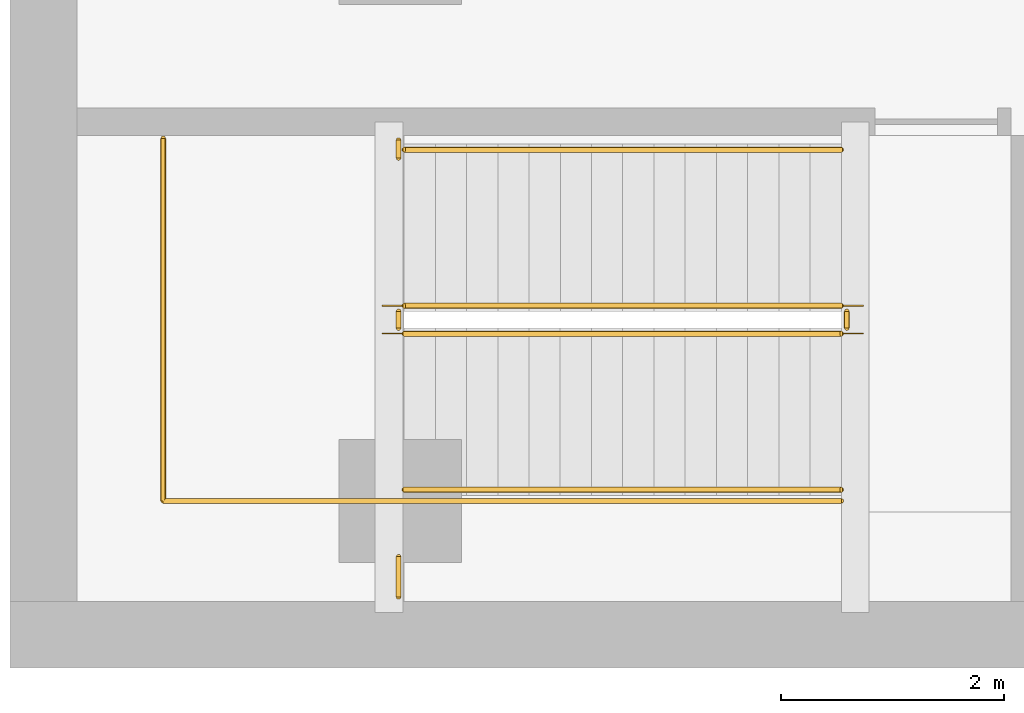
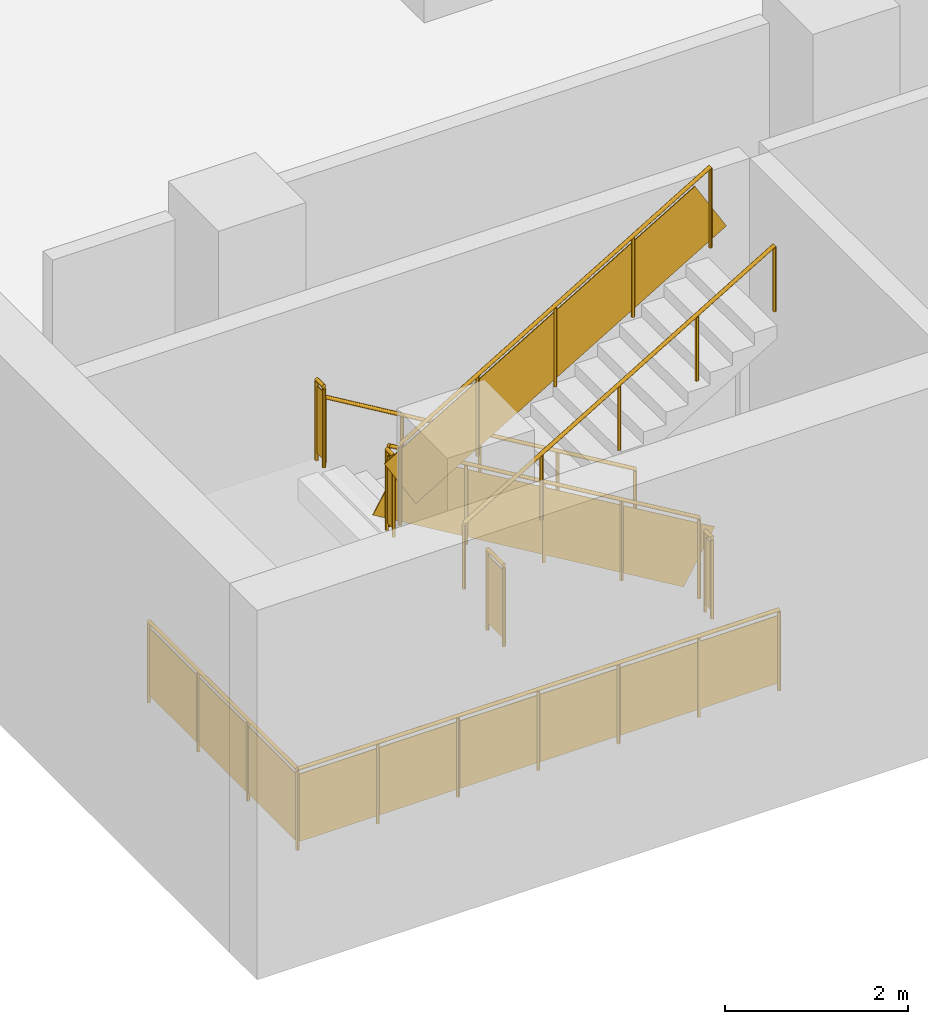
# One storey, part 9 of 12: 9 railings.
"""IFC4 building model written with IfcOpenShell, lengths in metres."""

from ifc_helpers import new_model, si_unit, direction, frame, origin, origin_2d, place, context, subcontext, project, spatial, rectangle, circle, extrude, material, type_object, element, save


model = new_model("IFC4")

# Units and contexts
model_context = context("Model", 3, precision=1e-05, world=origin(), true_north=direction((0.0, 1.0)))
body_context = subcontext(model_context, "Body", "Model", "MODEL_VIEW")
ifc_project = project(units=[si_unit("LENGTHUNIT", "METRE"), si_unit("AREAUNIT", "SQUARE_METRE"), si_unit("VOLUMEUNIT", "CUBIC_METRE"), si_unit("PLANEANGLEUNIT", "RADIAN"), si_unit("MASSUNIT", "GRAM", prefix="KILO")], contexts=[model_context])

# Site, building, storey
site_placement = place(None, origin())
site = spatial("IfcSite", under=ifc_project, at=site_placement, CompositionType="ELEMENT")
building_placement = place(site_placement, origin())
building = spatial("IfcBuilding", under=site, at=building_placement, Name="Vidyagriha Tower", CompositionType="ELEMENT")
storey_placement = place(building_placement, frame((0.0, 0.0, -5.0)))
storey = spatial("IfcBuildingStorey", under=building, at=storey_placement, Name="B1", CompositionType="ELEMENT", Elevation=-5.0)

# Railings
ifc_material_1 = material(Name="Powder coated ASTM A500 Grade C steel balustrade", Category="steel")
railing_type_1 = type_object("IfcRailingType", Name="Podium Stair Guard 1100", PredefinedType="GUARDRAIL", material=ifc_material_1)
railing_1_placement = place(storey_placement, frame((-33.544921875, -47.75, 0.166748046875)))
element("IfcRailing", 1, at=railing_1_placement, inside=storey, type_object=railing_type_1, Name="B1 PS1 stair guard 1", PredefinedType="GUARDRAIL", context=body_context, shape_type="SweptSolid", body=[
    extrude(circle(Radius=0.02392578125, at=origin_2d()), frame((0.0, 0.0, 1.076171875), z_axis=(-0.859310244771, 0.0, 0.511454693235), x_axis=(0.0, -1.0, 0.0)), (0.0, 0.0, 1.0), 4.56201171875),
    extrude(circle(Radius=0.02099609375, at=origin_2d()), origin(), (0.0, 0.0, 1.0), 1.052001953125),
    extrude(circle(Radius=0.02099609375, at=origin_2d()), frame((-0.97998046875, 0.0, 0.583251953125)), (0.0, 0.0, 1.0), 1.052001953125),
    extrude(circle(Radius=0.02099609375, at=origin_2d()), frame((-1.9599609375, 0.0, 1.16650390625)), (0.0, 0.0, 1.0), 1.052001953125),
    extrude(circle(Radius=0.02099609375, at=origin_2d()), frame((-2.940185546875, 0.0, 1.75)), (0.0, 0.0, 1.0), 1.052001953125),
    extrude(circle(Radius=0.02099609375, at=origin_2d()), frame((-3.920166015625, 0.0, 2.333251953125)), (0.0, 0.0, 1.0), 1.052001953125),
    extrude(rectangle(XDim=0.010009765625, YDim=0.775146484375, at=origin_2d()), frame((0.0, 0.0, 0.551025390625), z_axis=(-0.859310244771, 0.0, 0.511454693235), x_axis=(0.0, -1.0, 0.0)), (0.0, 0.0, 1.0), 4.56201171875),
])
railing_2_placement = place(storey_placement, frame((-37.514892578125, -47.800048828125, 2.5)))
element("IfcRailing", 2, at=railing_2_placement, inside=storey, type_object=railing_type_1, Name="B1 PS1 stair guard 2", PredefinedType="GUARDRAIL", context=body_context, shape_type="SweptSolid", body=[
    extrude(circle(Radius=0.02392578125, at=origin_2d()), frame((0.0, 0.0, 1.076171875), z_axis=(0.0, -1.0, 0.0), x_axis=(1.0, 0.0, 0.0)), (0.0, 0.0, 1.0), 0.14990234375),
    extrude(circle(Radius=0.02099609375, at=origin_2d()), origin(), (0.0, 0.0, 1.0), 1.052001953125),
    extrude(circle(Radius=0.02099609375, at=origin_2d()), frame((0.0, -0.14990234375, 0.0)), (0.0, 0.0, 1.0), 1.052001953125),
    extrude(rectangle(XDim=0.010009765625, YDim=0.902099609375, at=origin_2d()), frame((0.0, 0.0, 0.551025390625), z_axis=(0.0, -1.0, 0.0), x_axis=(1.0, 0.0, 0.0)), (0.0, 0.0, 1.0), 0.14990234375),
])
railing_3_placement = place(storey_placement, frame((-37.465087890625, -48.0, 2.666748046875)))
element("IfcRailing", 3, at=railing_3_placement, inside=storey, type_object=railing_type_1, Name="B1 PS1 stair guard 3", PredefinedType="GUARDRAIL", context=body_context, shape_type="SweptSolid", body=[
    extrude(circle(Radius=0.02392578125, at=origin_2d()), frame((0.0, 0.0, 1.076171875), z_axis=(0.859310244771, 0.0, 0.511454693235), x_axis=(0.0, 1.0, 0.0)), (0.0, 0.0, 1.0), 4.56201171875),
    extrude(circle(Radius=0.02099609375, at=origin_2d()), origin(), (0.0, 0.0, 1.0), 1.052001953125),
    extrude(circle(Radius=0.02099609375, at=origin_2d()), frame((0.97998046875, 0.0, 0.583251953125)), (0.0, 0.0, 1.0), 1.052001953125),
    extrude(circle(Radius=0.02099609375, at=origin_2d()), frame((1.9599609375, 0.0, 1.16650390625)), (0.0, 0.0, 1.0), 1.052001953125),
    extrude(circle(Radius=0.02099609375, at=origin_2d()), frame((2.940185546875, 0.0, 1.75)), (0.0, 0.0, 1.0), 1.052001953125),
    extrude(circle(Radius=0.02099609375, at=origin_2d()), frame((3.920166015625, 0.0, 2.333251953125)), (0.0, 0.0, 1.0), 1.052001953125),
    extrude(rectangle(XDim=0.010009765625, YDim=0.775146484375, at=origin_2d()), frame((0.0, 0.0, 0.551025390625), z_axis=(0.859310244771, 0.0, 0.511454693235), x_axis=(0.0, 1.0, 0.0)), (0.0, 0.0, 1.0), 4.56201171875),
])
railing_4_placement = place(storey_placement, frame((-33.4951171875, -47.800048828125, 0.0)))
element("IfcRailing", 4, at=railing_4_placement, inside=storey, type_object=railing_type_1, Name="B1 PS1 stair guard 4", PredefinedType="GUARDRAIL", context=body_context, shape_type="SweptSolid", body=[
    extrude(circle(Radius=0.02392578125, at=origin_2d()), frame((0.0, 0.0, 1.076171875), z_axis=(0.0, -1.0, 0.0), x_axis=(1.0, 0.0, 0.0)), (0.0, 0.0, 1.0), 0.14990234375),
    extrude(circle(Radius=0.02099609375, at=origin_2d()), origin(), (0.0, 0.0, 1.0), 1.052001953125),
    extrude(circle(Radius=0.02099609375, at=origin_2d()), frame((0.0, -0.14990234375, 0.0)), (0.0, 0.0, 1.0), 1.052001953125),
    extrude(rectangle(XDim=0.010009765625, YDim=0.902099609375, at=origin_2d()), frame((0.0, 0.0, 0.551025390625), z_axis=(0.0, -1.0, 0.0), x_axis=(1.0, 0.0, 0.0)), (0.0, 0.0, 1.0), 0.14990234375),
])
railing_5_placement = place(storey_placement, frame((-33.544921875, -49.5, 0.0)))
element("IfcRailing", 5, at=railing_5_placement, inside=storey, type_object=railing_type_1, Name="B1 PS1 stair well guard 1", PredefinedType="GUARDRAIL", context=body_context, shape_type="SweptSolid", body=[
    extrude(circle(Radius=0.02392578125, at=origin_2d()), frame((0.0, 0.0, 1.076171875), z_axis=(-1.0, 0.0, 0.0), x_axis=(0.0, -1.0, 0.0)), (0.0, 0.0, 1.0), 6.080078125),
    extrude(circle(Radius=0.02392578125, at=origin_2d()), frame((-6.080078125, 0.0, 1.076171875), z_axis=(0.0, 1.0, 0.0), x_axis=(-1.0, 0.0, 0.0)), (0.0, 0.0, 1.0), 3.25),
    extrude(circle(Radius=0.02099609375, at=origin_2d()), origin(), (0.0, 0.0, 1.0), 1.052001953125),
    extrude(circle(Radius=0.02099609375, at=origin_2d()), frame((-1.013427734375, 0.0, 0.0)), (0.0, 0.0, 1.0), 1.052001953125),
    extrude(circle(Radius=0.02099609375, at=origin_2d()), frame((-2.026611328125, 0.0, 0.0)), (0.0, 0.0, 1.0), 1.052001953125),
    extrude(circle(Radius=0.02099609375, at=origin_2d()), frame((-3.0400390625, 0.0, 0.0)), (0.0, 0.0, 1.0), 1.052001953125),
    extrude(circle(Radius=0.02099609375, at=origin_2d()), frame((-4.053466796875, 0.0, 0.0)), (0.0, 0.0, 1.0), 1.052001953125),
    extrude(circle(Radius=0.02099609375, at=origin_2d()), frame((-5.066650390625, 0.0, 0.0)), (0.0, 0.0, 1.0), 1.052001953125),
    extrude(circle(Radius=0.02099609375, at=origin_2d()), frame((-6.080078125, 0.0, 0.0)), (0.0, 0.0, 1.0), 1.052001953125),
    extrude(circle(Radius=0.02099609375, at=origin_2d()), frame((-6.080078125, 1.083251953125, 0.0)), (0.0, 0.0, 1.0), 1.052001953125),
    extrude(circle(Radius=0.02099609375, at=origin_2d()), frame((-6.080078125, 2.166748046875, 0.0)), (0.0, 0.0, 1.0), 1.052001953125),
    extrude(circle(Radius=0.02099609375, at=origin_2d()), frame((-6.080078125, 3.25, 0.0)), (0.0, 0.0, 1.0), 1.052001953125),
    extrude(rectangle(XDim=0.010009765625, YDim=0.902099609375, at=origin_2d()), frame((0.0, 0.0, 0.551025390625), z_axis=(-1.0, 0.0, 0.0), x_axis=(0.0, -1.0, 0.0)), (0.0, 0.0, 1.0), 6.080078125),
    extrude(rectangle(XDim=0.010009765625, YDim=0.902099609375, at=origin_2d()), frame((-6.080078125, 0.0, 0.551025390625), z_axis=(0.0, 1.0, 0.0), x_axis=(-1.0, 0.0, 0.0)), (0.0, 0.0, 1.0), 3.25),
])
railing_6_placement = place(storey_placement, frame((-37.514892578125, -50.360107421875, 2.5)))
element("IfcRailing", 6, at=railing_6_placement, inside=storey, type_object=railing_type_1, Name="B1 PS1 landing edge guard 1S", PredefinedType="GUARDRAIL", context=body_context, shape_type="SweptSolid", body=[
    extrude(circle(Radius=0.02392578125, at=origin_2d()), frame((0.0, 0.0, 1.076171875), z_axis=(0.0, 1.0, 0.0), x_axis=(-1.0, 0.0, 0.0)), (0.0, 0.0, 1.0), 0.360107421875),
    extrude(circle(Radius=0.02099609375, at=origin_2d()), origin(), (0.0, 0.0, 1.0), 1.052001953125),
    extrude(circle(Radius=0.02099609375, at=origin_2d()), frame((0.0, 0.360107421875, 0.0)), (0.0, 0.0, 1.0), 1.052001953125),
    extrude(rectangle(XDim=0.010009765625, YDim=0.902099609375, at=origin_2d()), frame((0.0, 0.0, 0.551025390625), z_axis=(0.0, 1.0, 0.0), x_axis=(-1.0, 0.0, 0.0)), (0.0, 0.0, 1.0), 0.360107421875),
])
railing_7_placement = place(storey_placement, frame((-37.514892578125, -46.264892578125, 2.5)))
element("IfcRailing", 7, at=railing_7_placement, inside=storey, type_object=railing_type_1, Name="B1 PS1 landing edge guard 1N", PredefinedType="GUARDRAIL", context=body_context, shape_type="SweptSolid", body=[
    extrude(circle(Radius=0.02392578125, at=origin_2d()), frame((0.0, 0.0, 1.076171875), z_axis=(0.0, -1.0, 0.0), x_axis=(1.0, 0.0, 0.0)), (0.0, 0.0, 1.0), 0.16015625),
    extrude(circle(Radius=0.02099609375, at=origin_2d()), origin(), (0.0, 0.0, 1.0), 1.052001953125),
    extrude(circle(Radius=0.02099609375, at=origin_2d()), frame((0.0, -0.16015625, 0.0)), (0.0, 0.0, 1.0), 1.052001953125),
    extrude(rectangle(XDim=0.010009765625, YDim=0.902099609375, at=origin_2d()), frame((0.0, 0.0, 0.551025390625), z_axis=(0.0, -1.0, 0.0), x_axis=(1.0, 0.0, 0.0)), (0.0, 0.0, 1.0), 0.16015625),
])
ifc_material_2 = material(Name="Powder coated ASTM A500 Grade C steel handrail", Category="steel")
railing_type_2 = type_object("IfcRailingType", Name="Podium Stair Handrail 900", PredefinedType="HANDRAIL", material=ifc_material_2)
railing_8_placement = place(storey_placement, frame((-33.544921875, -46.35009765625, 0.166748046875)))
element("IfcRailing", 8, at=railing_8_placement, inside=storey, type_object=railing_type_2, Name="B1 PS1 stair handrail 1", PredefinedType="HANDRAIL", context=body_context, shape_type="SweptSolid", body=[
    extrude(circle(Radius=0.02392578125, at=origin_2d()), frame((0.0, 0.0, 0.8759765625), z_axis=(-0.859310244771, 0.0, 0.511454693235), x_axis=(0.0, -1.0, 0.0)), (0.0, 0.0, 1.0), 4.56201171875),
    extrude(circle(Radius=0.02099609375, at=origin_2d()), origin(), (0.0, 0.0, 1.0), 0.851806640625),
    extrude(circle(Radius=0.02099609375, at=origin_2d()), frame((-0.97998046875, 0.0, 0.583251953125)), (0.0, 0.0, 1.0), 0.851806640625),
    extrude(circle(Radius=0.02099609375, at=origin_2d()), frame((-1.9599609375, 0.0, 1.16650390625)), (0.0, 0.0, 1.0), 0.851806640625),
    extrude(circle(Radius=0.02099609375, at=origin_2d()), frame((-2.940185546875, 0.0, 1.75)), (0.0, 0.0, 1.0), 0.851806640625),
    extrude(circle(Radius=0.02099609375, at=origin_2d()), frame((-3.920166015625, 0.0, 2.333251953125)), (0.0, 0.0, 1.0), 0.851806640625),
])
railing_9_placement = place(storey_placement, frame((-37.465087890625, -49.39990234375, 2.666748046875)))
element("IfcRailing", 9, at=railing_9_placement, inside=storey, type_object=railing_type_2, Name="B1 PS1 stair handrail 2", PredefinedType="HANDRAIL", context=body_context, shape_type="SweptSolid", body=[
    extrude(circle(Radius=0.02392578125, at=origin_2d()), frame((0.0, 0.0, 0.8759765625), z_axis=(0.859310244771, 0.0, 0.511454693235), x_axis=(0.0, 1.0, 0.0)), (0.0, 0.0, 1.0), 4.56201171875),
    extrude(circle(Radius=0.02099609375, at=origin_2d()), origin(), (0.0, 0.0, 1.0), 0.851806640625),
    extrude(circle(Radius=0.02099609375, at=origin_2d()), frame((0.97998046875, 0.0, 0.583251953125)), (0.0, 0.0, 1.0), 0.851806640625),
    extrude(circle(Radius=0.02099609375, at=origin_2d()), frame((1.9599609375, 0.0, 1.16650390625)), (0.0, 0.0, 1.0), 0.851806640625),
    extrude(circle(Radius=0.02099609375, at=origin_2d()), frame((2.940185546875, 0.0, 1.75)), (0.0, 0.0, 1.0), 0.851806640625),
    extrude(circle(Radius=0.02099609375, at=origin_2d()), frame((3.920166015625, 0.0, 2.333251953125)), (0.0, 0.0, 1.0), 0.851806640625),
])

save(model, "model.ifc")
